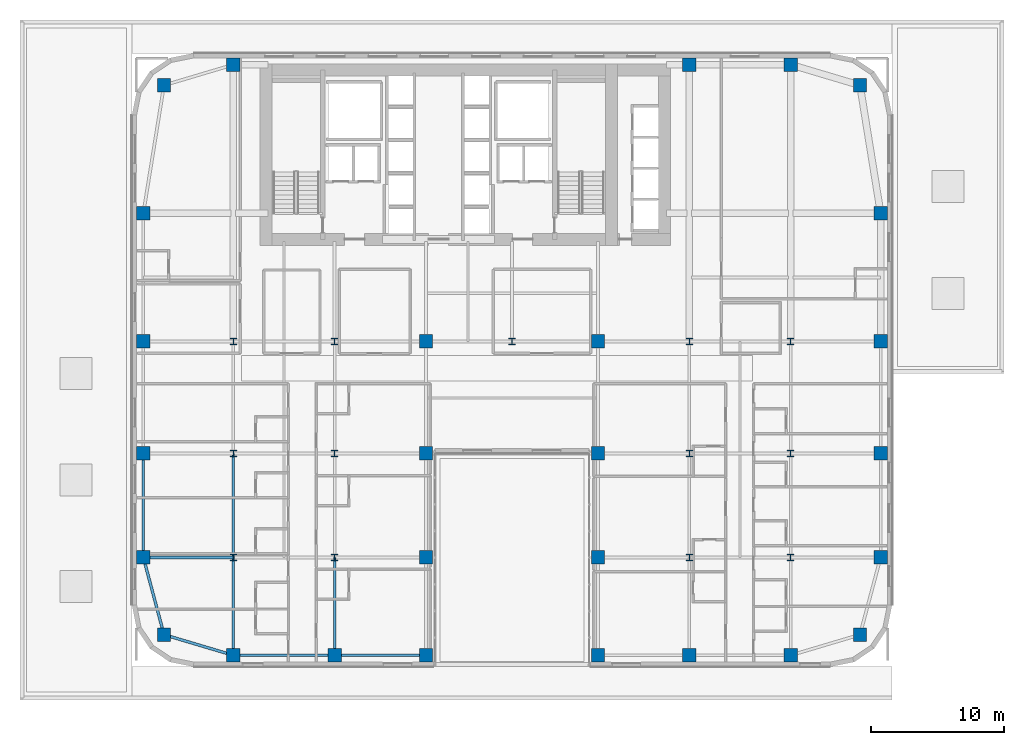
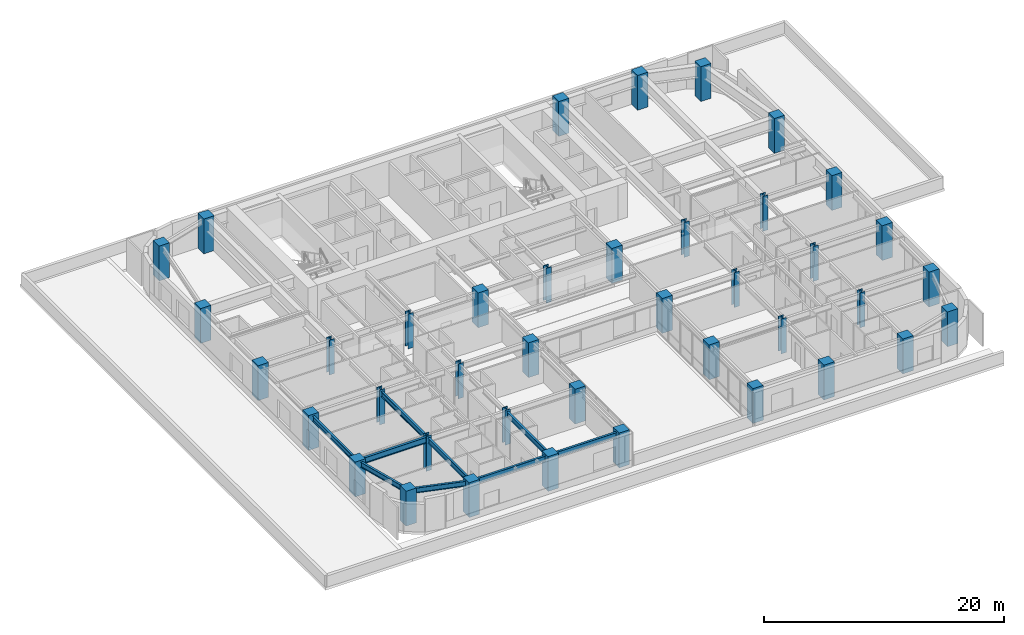
# One storey, part 1 of 25: 40 columns, 9 beams.
"""IFC4 building model written with IfcOpenShell, lengths in metres."""

from ifc_helpers import new_model, si_unit, direction, frame, origin, origin_2d, place, context, subcontext, project, spatial, rectangle, i_section, extrude, source, transform, mapped, material, material_profile, profile_set, type_object, type_shapes, element, save


model = new_model("IFC4")

# Units and contexts
model_context = context("Model", 3, precision=1e-05, world=origin(), true_north=direction((0.0, 1.0)))
body_context = subcontext(model_context, "Body", "Model", "MODEL_VIEW")
ifc_project = project(units=[si_unit("LENGTHUNIT", "METRE"), si_unit("AREAUNIT", "SQUARE_METRE"), si_unit("VOLUMEUNIT", "CUBIC_METRE"), si_unit("PLANEANGLEUNIT", "RADIAN"), si_unit("MASSUNIT", "GRAM", prefix="KILO")], contexts=[model_context])

# Site, building, storey
site_placement = place(None, origin())
site = spatial("IfcSite", under=ifc_project, at=site_placement, CompositionType="ELEMENT")
building_placement = place(site_placement, origin())
building = spatial("IfcBuilding", under=site, at=building_placement, Name="Tolvann Quenvar Hotel", CompositionType="ELEMENT")
storey_placement = place(building_placement, frame((0.0, 0.0, 32.0)))
storey = spatial("IfcBuildingStorey", under=building, at=storey_placement, Name="L06", CompositionType="ELEMENT", Elevation=32.0)

# Columns
ifc_material_1 = material(Name="Concrete S65 (65 MPa)", Category="concrete")
ifc_material_profile_1 = material_profile(ifc_material_1, rectangle(XDim=1.0, YDim=1.0, at=origin_2d()), Name="RC1000x1000")
ifc_profile_set_1 = profile_set([ifc_material_profile_1], Name="Concrete S65 (65 MPa)")
column_type_1 = type_object("IfcColumnType", Name="COL_RC1000", PredefinedType="COLUMN", material=ifc_profile_set_1)
shared_shape_1 = source(origin(), body_context, "Body", "SweptSolid", [
    extrude(rectangle(XDim=1.0, YDim=1.0, at=origin_2d()), origin(), (0.0, 0.0, 1.0), 3.550048828125),
])
type_shapes(column_type_1, [shared_shape_1])
for number, where, z_axis, x_axis, name in (
    (1, (2.39990234375, 2.39990234375, 0.0), (0.0, 0.0, 1.0), (1.0, 0.0, 0.0), "Column B2 (L06)"),
    (2, (0.85009765625, 8.199951171875, 0.0), (0.0, 0.0, 1.0), (1.0, 0.0, 0.0), "Column B3 (L06)"),
    (3, (0.85009765625, 16.0, 0.0), (0.0, 0.0, 1.0), (1.0, 0.0, 0.0), "Column B4 (L06)"),
    (4, (0.85009765625, 24.39990234375, 0.0), (0.0, 0.0, 1.0), (1.0, 0.0, 0.0), "Column B5 (L06)"),
    (5, (7.60009765625, 0.85009765625, 0.0), (0.0, 0.0, 1.0), (1.0, 0.0, 0.0), "Column C2 (L06)"),
    (6, (15.199951171875, 0.85009765625, 0.0), (0.0, 0.0, 1.0), (1.0, 0.0, 0.0), "Column D2 (L06)"),
    (7, (22.050048828125, 0.85009765625, 0.0), (0.0, 0.0, 1.0), (1.0, 0.0, 0.0), "Column E2 (L06)"),
    (8, (22.050048828125, 8.199951171875, 0.0), (0.0, 0.0, 1.0), (1.0, 0.0, 0.0), "Column E3 (L06)"),
    (9, (22.050048828125, 16.0, 0.0), (0.0, 0.0, 1.0), (1.0, 0.0, 0.0), "Column E4 (L06)"),
    (10, (22.050048828125, 24.39990234375, 0.0), (0.0, 0.0, 1.0), (1.0, 0.0, 0.0), "Column E5 (L06)"),
    (11, (34.949951171875, 0.85009765625, 0.0), (0.0, 0.0, 1.0), (1.0, 0.0, 0.0), "Column F2 (L06)"),
    (12, (34.949951171875, 8.199951171875, 0.0), (0.0, 0.0, 1.0), (1.0, 0.0, 0.0), "Column F3 (L06)"),
    (13, (34.949951171875, 16.0, 0.0), (0.0, 0.0, 1.0), (1.0, 0.0, 0.0), "Column F4 (L06)"),
    (14, (34.949951171875, 24.39990234375, 0.0), (0.0, 0.0, 1.0), (1.0, 0.0, 0.0), "Column F5 (L06)"),
    (15, (41.800048828125, 0.85009765625, 0.0), (0.0, 0.0, 1.0), (1.0, 0.0, 0.0), "Column H2 (L06)"),
    (16, (49.39990234375, 0.85009765625, 0.0), (0.0, 0.0, 1.0), (1.0, 0.0, 0.0), "Column I2 (L06)"),
    (17, (54.60009765625, 2.39990234375, 0.0), (0.0, 0.0, 1.0), (1.0, 0.0, 0.0), "Column J2 (L06)"),
    (18, (56.14990234375, 8.199951171875, 0.0), (0.0, 0.0, 1.0), (1.0, 0.0, 0.0), "Column J3 (L06)"),
    (19, (56.14990234375, 16.0, 0.0), (0.0, 0.0, 1.0), (1.0, 0.0, 0.0), "Column J4 (L06)"),
    (20, (56.14990234375, 24.39990234375, 0.0), (0.0, 0.0, 1.0), (1.0, 0.0, 0.0), "Column J5 (L06)"),
    (21, (2.39990234375, 43.60009765625, 0.0), (0.0, 0.0, 1.0), (1.0, 0.0, 0.0), "Column BN (L06)"),
    (22, (7.60009765625, 45.14990234375, 0.0), (0.0, 0.0, 1.0), (1.0, 0.0, 0.0), "Column CN (L06)"),
    (23, (0.85009765625, 34.0, 0.0), (0.0, 0.0, 1.0), (1.0, 0.0, 0.0), "Column BD6 (L06)"),
    (24, (41.800048828125, 45.14990234375, 0.0), (0.0, 0.0, 1.0), (1.0, 0.0, 0.0), "Column HN (L06)"),
    (25, (49.39990234375, 45.14990234375, 0.0), (0.0, 0.0, 1.0), (1.0, 0.0, 0.0), "Column IN (L06)"),
    (26, (54.60009765625, 43.60009765625, 0.0), (0.0, 0.0, 1.0), (1.0, 0.0, 0.0), "Column JN (L06)"),
    (27, (56.14990234375, 34.0, 0.0), (0.0, 0.0, 1.0), (1.0, 0.0, 0.0), "Column JD6 (L06)"),
):
    element("IfcColumn", number, at=place(storey_placement, frame(where, z_axis=z_axis, x_axis=x_axis)), inside=storey, type_object=column_type_1, Name=name, PredefinedType="COLUMN", context=body_context, shape_type="MappedRepresentation", body=[
        mapped(shared_shape_1, transform((0.0, 0.0, 0.0), x_axis=(1.0, 0.0, 0.0), y_axis=(0.0, 1.0, 0.0), z_axis=(0.0, 0.0, 1.0), scale=1.0)),
    ])
ifc_material_2 = material(Name="Steel Grade 350", Category="steel")
ifc_material_profile_2 = material_profile(ifc_material_2, i_section(OverallWidth=0.5, OverallDepth=0.5, WebThickness=0.028076171875, FlangeThickness=0.044921875, at=origin_2d()), Name="500WC440")
ifc_profile_set_2 = profile_set([ifc_material_profile_2], Name="Steel Grade 350")
column_type_2 = type_object("IfcColumnType", Name="COL_500WC440", PredefinedType="COLUMN", material=ifc_profile_set_2)
shared_shape_2 = source(origin(), body_context, "Body", "SweptSolid", [
    extrude(i_section(OverallWidth=0.5, OverallDepth=0.5, WebThickness=0.028076171875, FlangeThickness=0.044921875, at=origin_2d()), origin(), (0.0, 0.0, 1.0), 3.550048828125),
])
type_shapes(column_type_2, [shared_shape_2])
for number, where, z_axis, x_axis, name in (
    (28, (7.60009765625, 8.199951171875, 0.0), (0.0, 0.0, 1.0), (1.0, 0.0, 0.0), "Column C3 (L06)"),
    (29, (7.60009765625, 16.0, 0.0), (0.0, 0.0, 1.0), (1.0, 0.0, 0.0), "Column C4 (L06)"),
    (30, (7.60009765625, 24.39990234375, 0.0), (0.0, 0.0, 1.0), (1.0, 0.0, 0.0), "Column C5 (L06)"),
    (31, (15.199951171875, 8.199951171875, 0.0), (0.0, 0.0, 1.0), (1.0, 0.0, 0.0), "Column D3 (L06)"),
    (32, (15.199951171875, 16.0, 0.0), (0.0, 0.0, 1.0), (1.0, 0.0, 0.0), "Column D4 (L06)"),
    (33, (15.199951171875, 24.39990234375, 0.0), (0.0, 0.0, 1.0), (1.0, 0.0, 0.0), "Column D5 (L06)"),
    (34, (41.800048828125, 8.199951171875, 0.0), (0.0, 0.0, 1.0), (1.0, 0.0, 0.0), "Column H3 (L06)"),
    (35, (41.800048828125, 16.0, 0.0), (0.0, 0.0, 1.0), (1.0, 0.0, 0.0), "Column H4 (L06)"),
    (36, (41.800048828125, 24.39990234375, 0.0), (0.0, 0.0, 1.0), (1.0, 0.0, 0.0), "Column H5 (L06)"),
    (37, (49.39990234375, 8.199951171875, 0.0), (0.0, 0.0, 1.0), (1.0, 0.0, 0.0), "Column I3 (L06)"),
    (38, (49.39990234375, 16.0, 0.0), (0.0, 0.0, 1.0), (1.0, 0.0, 0.0), "Column I4 (L06)"),
    (39, (49.39990234375, 24.39990234375, 0.0), (0.0, 0.0, 1.0), (1.0, 0.0, 0.0), "Column I5 (L06)"),
    (40, (28.5, 24.39990234375, 0.0), (0.0, 0.0, 1.0), (1.0, 0.0, 0.0), "Column M5 (L06)"),
):
    element("IfcColumn", number, at=place(storey_placement, frame(where, z_axis=z_axis, x_axis=x_axis)), inside=storey, type_object=column_type_2, Name=name, PredefinedType="COLUMN", context=body_context, shape_type="MappedRepresentation", body=[
        mapped(shared_shape_2, transform((0.0, 0.0, 0.0), x_axis=(1.0, 0.0, 0.0), y_axis=(0.0, 1.0, 0.0), z_axis=(0.0, 0.0, 1.0), scale=1.0)),
    ])

# Beams
ifc_material_profile_3 = material_profile(ifc_material_2, i_section(OverallWidth=0.208984375, OverallDepth=0.528076171875, WebThickness=0.009521484375, FlangeThickness=0.01318359375, FilletRadius=0.013916015625, at=origin_2d()), Name="530UB82")
ifc_profile_set_3 = profile_set([ifc_material_profile_3], Name="Steel Grade 350")
beam_type_1 = type_object("IfcBeamType", Name="BM_SPAND_530UB82", PredefinedType="SPANDREL", material=ifc_profile_set_3)
shared_shape_3 = source(origin(), body_context, "Body", "SweptSolid", [
    extrude(i_section(OverallWidth=0.208984375, OverallDepth=0.528076171875, WebThickness=0.009521484375, FlangeThickness=0.01318359375, FilletRadius=0.013916015625, at=origin_2d()), origin(), (0.0, 0.0, 1.0), 5.42626953125),
])
beam_1_placement = place(storey_placement, frame((2.39990234375, 2.39990234375, 3.10595703125), z_axis=(0.958344815522, -0.285613750654, 0.0), x_axis=(0.285613750654, 0.958344815522, 0.0)))
element("IfcBeam", 41, at=beam_1_placement, inside=storey, type_object=beam_type_1, Name="BM-L06-EW-2-B2-C2", PredefinedType="SPANDREL", context=body_context, shape_type="MappedRepresentation", body=[
    mapped(shared_shape_3, transform((0.0, 0.0, 0.0), x_axis=(1.0, 0.0, 0.0), y_axis=(0.0, 1.0, 0.0), z_axis=(0.0, 0.0, 1.0), scale=1.0)),
])
shared_shape_4 = source(origin(), body_context, "Body", "SweptSolid", [
    extrude(i_section(OverallWidth=0.208984375, OverallDepth=0.528076171875, WebThickness=0.009521484375, FlangeThickness=0.01318359375, FilletRadius=0.013916015625, at=origin_2d()), origin(), (0.0, 0.0, 1.0), 7.599853515625),
])
beam_2_placement = place(storey_placement, frame((7.60009765625, 0.85009765625, 3.10595703125), z_axis=(1.0, 0.0, 0.0), x_axis=(0.0, 1.0, 0.0)))
element("IfcBeam", 42, at=beam_2_placement, inside=storey, type_object=beam_type_1, Name="BM-L06-EW-2-C2-D2", PredefinedType="SPANDREL", context=body_context, shape_type="MappedRepresentation", body=[
    mapped(shared_shape_4, transform((0.0, 0.0, 0.0), x_axis=(1.0, 0.0, 0.0), y_axis=(0.0, 1.0, 0.0), z_axis=(0.0, 0.0, 1.0), scale=1.0)),
])
shared_shape_5 = source(origin(), body_context, "Body", "SweptSolid", [
    extrude(i_section(OverallWidth=0.208984375, OverallDepth=0.528076171875, WebThickness=0.009521484375, FlangeThickness=0.01318359375, FilletRadius=0.013916015625, at=origin_2d()), origin(), (0.0, 0.0, 1.0), 6.85009765625),
])
beam_3_placement = place(storey_placement, frame((15.199951171875, 0.85009765625, 3.10595703125), z_axis=(1.0, 0.0, 0.0), x_axis=(0.0, 1.0, 0.0)))
element("IfcBeam", 43, at=beam_3_placement, inside=storey, type_object=beam_type_1, Name="BM-L06-EW-2-D2-E2", PredefinedType="SPANDREL", context=body_context, shape_type="MappedRepresentation", body=[
    mapped(shared_shape_5, transform((0.0, 0.0, 0.0), x_axis=(1.0, 0.0, 0.0), y_axis=(0.0, 1.0, 0.0), z_axis=(0.0, 0.0, 1.0), scale=1.0)),
])
ifc_material_profile_4 = material_profile(ifc_material_2, i_section(OverallWidth=0.22900390625, OverallDepth=0.612060546875, WebThickness=0.011962890625, FlangeThickness=0.01953125, FilletRadius=0.013916015625, at=origin_2d()), Name="610UB125")
ifc_profile_set_4 = profile_set([ifc_material_profile_4], Name="Steel Grade 350")
beam_type_2 = type_object("IfcBeamType", Name="BM_GIRD_610UB125", PredefinedType="BEAM", material=ifc_profile_set_4)
shared_shape_6 = source(origin(), body_context, "Body", "SweptSolid", [
    extrude(i_section(OverallWidth=0.22900390625, OverallDepth=0.612060546875, WebThickness=0.011962890625, FlangeThickness=0.01953125, FilletRadius=0.013916015625, at=origin_2d()), origin(), (0.0, 0.0, 1.0), 6.75),
])
type_shapes(beam_type_2, [shared_shape_6])
beam_4_placement = place(storey_placement, frame((0.85009765625, 8.199951171875, 3.06396484375), z_axis=(1.0, 0.0, 0.0), x_axis=(0.0, 1.0, 0.0)))
element("IfcBeam", 44, at=beam_4_placement, inside=storey, type_object=beam_type_2, Name="BM-L06-EW-3-B3-C3", PredefinedType="BEAM", context=body_context, shape_type="MappedRepresentation", body=[
    mapped(shared_shape_6, transform((0.0, 0.0, 0.0), x_axis=(1.0, 0.0, 0.0), y_axis=(0.0, 1.0, 0.0), z_axis=(0.0, 0.0, 1.0), scale=1.0)),
])
shared_shape_7 = source(origin(), body_context, "Body", "SweptSolid", [
    extrude(i_section(OverallWidth=0.208984375, OverallDepth=0.528076171875, WebThickness=0.009521484375, FlangeThickness=0.01318359375, FilletRadius=0.013916015625, at=origin_2d()), origin(), (0.0, 0.0, 1.0), 6.00341796875),
])
beam_5_placement = place(storey_placement, frame((2.39990234375, 2.39990234375, 3.10595703125), z_axis=(-0.258148586649, 0.966105225745, 0.0), x_axis=(-0.966105225745, -0.258148586649, 0.0)))
element("IfcBeam", 45, at=beam_5_placement, inside=storey, type_object=beam_type_1, Name="BM-L06-NS-B2-B3", PredefinedType="SPANDREL", context=body_context, shape_type="MappedRepresentation", body=[
    mapped(shared_shape_7, transform((0.0, 0.0, 0.0), x_axis=(1.0, 0.0, 0.0), y_axis=(0.0, 1.0, 0.0), z_axis=(0.0, 0.0, 1.0), scale=1.0)),
])
shared_shape_8 = source(origin(), body_context, "Body", "SweptSolid", [
    extrude(i_section(OverallWidth=0.208984375, OverallDepth=0.528076171875, WebThickness=0.009521484375, FlangeThickness=0.01318359375, FilletRadius=0.013916015625, at=origin_2d()), origin(), (0.0, 0.0, 1.0), 7.800048828125),
])
type_shapes(beam_type_1, [shared_shape_3, shared_shape_4, shared_shape_5, shared_shape_7, shared_shape_8])
beam_6_placement = place(storey_placement, frame((0.85009765625, 8.199951171875, 3.10595703125), z_axis=(0.0, 1.0, 0.0), x_axis=(-1.0, 0.0, 0.0)))
element("IfcBeam", 46, at=beam_6_placement, inside=storey, type_object=beam_type_1, Name="BM-L06-NS-B3-B4", PredefinedType="SPANDREL", context=body_context, shape_type="MappedRepresentation", body=[
    mapped(shared_shape_8, transform((0.0, 0.0, 0.0), x_axis=(1.0, 0.0, 0.0), y_axis=(0.0, 1.0, 0.0), z_axis=(0.0, 0.0, 1.0), scale=1.0)),
])
ifc_material_profile_5 = material_profile(ifc_material_2, i_section(OverallWidth=0.208984375, OverallDepth=0.532958984375, WebThickness=0.01025390625, FlangeThickness=0.015625, FilletRadius=0.013916015625, at=origin_2d()), Name="530UB92")
ifc_profile_set_5 = profile_set([ifc_material_profile_5], Name="Steel Grade 350")
beam_type_3 = type_object("IfcBeamType", Name="BM_GIRD_530UB92", PredefinedType="BEAM", material=ifc_profile_set_5)
shared_shape_9 = source(origin(), body_context, "Body", "SweptSolid", [
    extrude(i_section(OverallWidth=0.208984375, OverallDepth=0.532958984375, WebThickness=0.01025390625, FlangeThickness=0.015625, FilletRadius=0.013916015625, at=origin_2d()), origin(), (0.0, 0.0, 1.0), 7.349853515625),
])
for number, where, z_axis, x_axis, name in (
    (47, (7.60009765625, 0.85009765625, 3.103515625), (0.0, 1.0, 0.0), (-1.0, 0.0, 0.0), "BM-L06-NS-C2-C3"),
    (48, (15.199951171875, 0.85009765625, 3.103515625), (0.0, 1.0, 0.0), (-1.0, 0.0, 0.0), "BM-L06-NS-D2-D3"),
):
    element("IfcBeam", number, at=place(storey_placement, frame(where, z_axis=z_axis, x_axis=x_axis)), inside=storey, type_object=beam_type_3, Name=name, PredefinedType="BEAM", context=body_context, shape_type="MappedRepresentation", body=[
        mapped(shared_shape_9, transform((0.0, 0.0, 0.0), x_axis=(1.0, 0.0, 0.0), y_axis=(0.0, 1.0, 0.0), z_axis=(0.0, 0.0, 1.0), scale=1.0)),
    ])
shared_shape_10 = source(origin(), body_context, "Body", "SweptSolid", [
    extrude(i_section(OverallWidth=0.208984375, OverallDepth=0.532958984375, WebThickness=0.01025390625, FlangeThickness=0.015625, FilletRadius=0.013916015625, at=origin_2d()), origin(), (0.0, 0.0, 1.0), 7.800048828125),
])
type_shapes(beam_type_3, [shared_shape_9, shared_shape_10])
beam_7_placement = place(storey_placement, frame((7.60009765625, 8.199951171875, 3.103515625), z_axis=(0.0, 1.0, 0.0), x_axis=(-1.0, 0.0, 0.0)))
element("IfcBeam", 49, at=beam_7_placement, inside=storey, type_object=beam_type_3, Name="BM-L06-NS-C3-C4", PredefinedType="BEAM", context=body_context, shape_type="MappedRepresentation", body=[
    mapped(shared_shape_10, transform((0.0, 0.0, 0.0), x_axis=(1.0, 0.0, 0.0), y_axis=(0.0, 1.0, 0.0), z_axis=(0.0, 0.0, 1.0), scale=1.0)),
])

save(model, "model.ifc")
